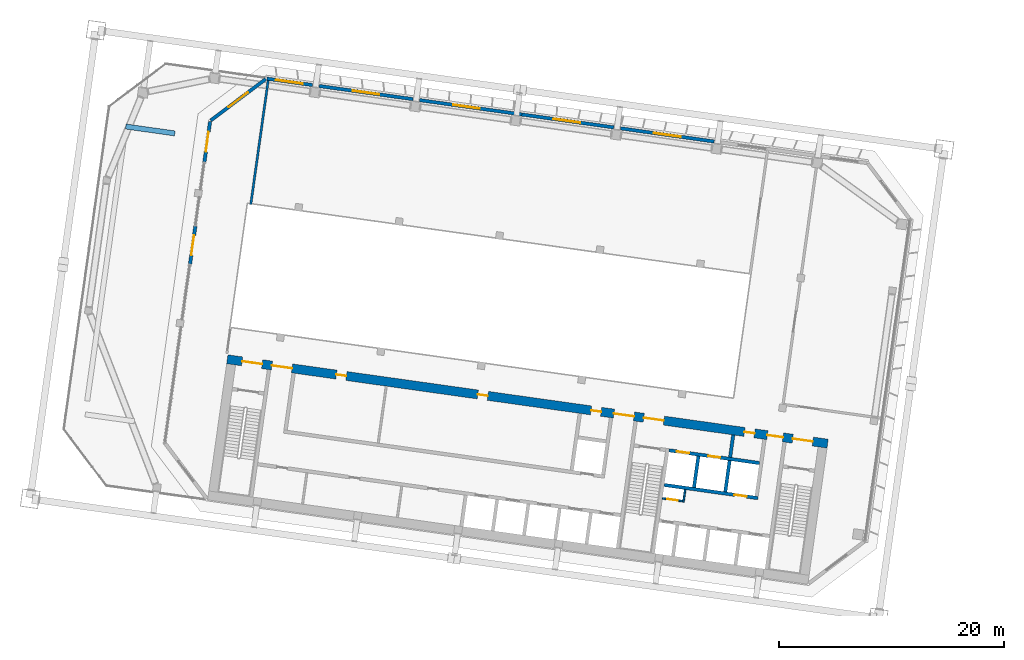
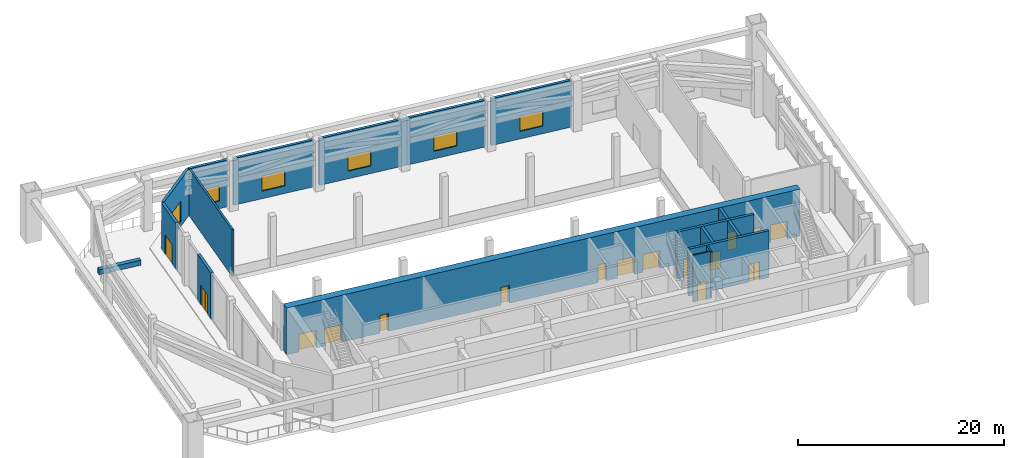
# One storey, part 21 of 41: 18 walls, 16 doors, 6 windows, 22 openings.
"""IFC4 building model written with IfcOpenShell, lengths in metres."""

from ifc_helpers import new_model, si_unit, direction, frame, frame_2d, origin, place, context, subcontext, project, spatial, rectangle, extrude, material, layer, layer_set, type_object, element, fill, save


model = new_model("IFC4")

# Units and contexts
model_context = context("Model", 3, precision=1e-05, world=origin(), true_north=direction((0.0, 1.0)))
body_context = subcontext(model_context, "Body", "Model", "MODEL_VIEW")
ifc_project = project(units=[si_unit("LENGTHUNIT", "METRE"), si_unit("AREAUNIT", "SQUARE_METRE"), si_unit("VOLUMEUNIT", "CUBIC_METRE"), si_unit("PLANEANGLEUNIT", "RADIAN"), si_unit("MASSUNIT", "GRAM", prefix="KILO")], contexts=[model_context])

# Site, building, storey
site_placement = place(None, origin())
site = spatial("IfcSite", under=ifc_project, at=site_placement, CompositionType="ELEMENT")
building_placement = place(site_placement, origin())
building = spatial("IfcBuilding", under=site, at=building_placement, Name="Mirante Cascada Hotel Towers", CompositionType="ELEMENT")
storey_placement = place(building_placement, frame((0.0, 0.0, 92.7)))
storey = spatial("IfcBuildingStorey", under=building, at=storey_placement, Name="L20", CompositionType="ELEMENT", Elevation=92.7)

# Wall
ifc_material_1 = material(Name="Masonry block", Category="masonry")
ifc_layer_1 = layer(ifc_material_1, 0.15)
ifc_layer_set_1 = layer_set([ifc_layer_1], Name="Core room partition 150 block EI 30")
wall_type_1 = type_object("IfcWallType", Name="Core room partition 150 block EI 30", PredefinedType="PARTITIONING", material=ifc_layer_set_1)
wall_1_placement = place(storey_placement, frame((-48.2295, -12.793, 0.0), z_axis=(0.0, 0.0, 1.0), x_axis=(0.1391935, 0.9902652, 0.0)))
element("IfcWall", 1, at=wall_1_placement, inside=storey, type_object=wall_type_1, Name="Core wall partition T1 L20 2", PredefinedType="PARTITIONING", context=body_context, shape_type="SweptSolid", body=[
    extrude(rectangle(XDim=1.1251, YDim=0.15, at=frame_2d((0.5626, 0.0))), origin(), (0.0, 0.0, 1.0), 5.55),
])

# Wall, opening, door
wall_2_placement = place(storey_placement, frame((-48.2933, -12.7083, 0.0), z_axis=(0.0, 0.0, 1.0), x_axis=(-0.990268, 0.1391734, 0.0)))
wall_2 = element("IfcWall", 2, at=wall_2_placement, inside=storey, type_object=wall_type_1, Name="Core wall partition T1 L20 3", PredefinedType="PARTITIONING", context=body_context, shape_type="SweptSolid", body=[
    extrude(rectangle(XDim=1.8251, YDim=0.15, at=frame_2d((0.9126, 0.0))), origin(), (0.0, 0.0, 1.0), 5.55),
])
opening_1_placement = place(wall_2_placement, frame((0.4625, 0.0, 0.0)))
opening_1 = element("IfcOpeningElement", 3, at=opening_1_placement, cuts=wall_2, Name="Opening D1-20-C23", PredefinedType="OPENING", context=body_context, shape_type="SweptSolid", body=[
    extrude(rectangle(XDim=0.9, YDim=2.1, at=frame_2d((0.45, 1.05))), frame((0.0, 0.075, 0.0), z_axis=(0.0, -1.0, 0.0), x_axis=(1.0, 0.0, 0.0)), (0.0, 0.0, 1.0), 0.15),
])
ifc_material_2 = material(Name="Hollow metal fire door leaf")
door_type_1 = type_object("IfcDoorType", Name="Fire door 900x2100 FD60", OperationType="NOTDEFINED", PredefinedType="DOOR", material=ifc_material_2)
door_1_placement = place(opening_1_placement, origin())
door_1 = element("IfcDoor", 4, at=door_1_placement, inside=storey, type_object=door_type_1, Name="Riser door T1 L20 23", OperationType="SINGLE_SWING_LEFT", OverallHeight=2.1, OverallWidth=0.9, PredefinedType="DOOR", context=body_context, shape_type="SweptSolid", body=[
    extrude(rectangle(XDim=0.9, YDim=2.1, at=frame_2d((0.45, 1.05))), frame((0.0, 0.025, 0.0), z_axis=(0.0, -1.0, 0.0), x_axis=(1.0, 0.0, 0.0)), (0.0, 0.0, 1.0), 0.05),
])
fill(opening_1, door_1)

# Walls
ifc_material_3 = material(Name="Masonry block", Category="masonry")
ifc_layer_2 = layer(ifc_material_3, 0.3)
ifc_layer_set_2 = layer_set([ifc_layer_2], Name="Core wall 300 block EI 120")
wall_type_2 = type_object("IfcWallType", Name="Core wall 300 block EI 120", PredefinedType="PARTITIONING", material=ifc_layer_set_2)
wall_3_placement = place(storey_placement, frame((-44.0843, -8.8061, 0.0), z_axis=(0.0, 0.0, 1.0), x_axis=(0.1391951, 0.990265, 0.0)))
element("IfcWall", 5, at=wall_3_placement, inside=storey, type_object=wall_type_2, Name="Core wall partition T1 L20 1", PredefinedType="PARTITIONING", context=body_context, shape_type="SweptSolid", body=[
    extrude(rectangle(XDim=2.0001, YDim=0.3, at=frame_2d((1.0001, 0.0))), origin(), (0.0, 0.0, 1.0), 5.55),
])
ifc_material_4 = material(Name="Precast concrete C40/50", Category="concrete")
ifc_layer_3 = layer(ifc_material_4, 0.45)
ifc_layer_set_3 = layer_set([ifc_layer_3], Name="Planter wall 450 concrete C40/50")
wall_type_3 = type_object("IfcWallType", Name="Planter wall 450 concrete C40/50", PredefinedType="PARAPET", material=ifc_layer_set_3)
wall_4_placement = place(storey_placement, frame((-93.3643, 19.932, 0.0), z_axis=(0.0, 0.0, 1.0), x_axis=(-0.990267, 0.139181, 0.0)))
element("IfcWall", 6, at=wall_4_placement, inside=storey, type_object=wall_type_3, Name="PLANTER T1 L20 bed 2", PredefinedType="PARAPET", context=body_context, shape_type="SweptSolid", body=[
    extrude(rectangle(XDim=4.4, YDim=0.45, at=frame_2d((2.2, 0.0))), origin(), (0.0, 0.0, 1.0), 0.6),
])

# Wall, opening, window
ifc_material_5 = material(Name="Precast concrete C40/50", Category="concrete")
ifc_layer_4 = layer(ifc_material_5, 0.3)
ifc_layer_set_4 = layer_set([ifc_layer_4], Name="Precast concrete C40/50 cladding wall 300")
wall_type_4 = type_object("IfcWallType", Name="Precast concrete C40/50 cladding wall 300", PredefinedType="STANDARD", material=ifc_layer_set_4)
wall_5_placement = place(storey_placement, frame((-45.4985, 19.2134, 0.0), z_axis=(0.0, 0.0, 1.0), x_axis=(-0.9902672, 0.1391793, 0.0)))
wall_5 = element("IfcWall", 7, at=wall_5_placement, inside=storey, type_object=wall_type_4, Name="Cladding pier wall T1 L20 front 3", PredefinedType="STANDARD", context=body_context, shape_type="SweptSolid", body=[
    extrude(rectangle(XDim=8.4, YDim=0.3, at=frame_2d((4.2, 0.0))), origin(), (0.0, 0.0, 1.0), 5.55),
])
opening_2_placement = place(wall_5_placement, frame((3.0, 0.0, 0.9)))
opening_2 = element("IfcOpeningElement", 8, at=opening_2_placement, cuts=wall_5, Name="Opening W1-20-03", PredefinedType="OPENING", context=body_context, shape_type="SweptSolid", body=[
    extrude(rectangle(XDim=2.4, YDim=1.8, at=frame_2d((1.2, 0.9))), frame((0.0, 0.15, 0.0), z_axis=(0.0, -1.0, 0.0), x_axis=(1.0, 0.0, 0.0)), (0.0, 0.0, 1.0), 0.3),
])
ifc_material_6 = material(Name="Aluminium frame with clear double glazing", Category="aluminium")
window_type_1 = type_object("IfcWindowType", Name="Punched window 2400x1800", PartitioningType="DOUBLE_PANEL_VERTICAL", PredefinedType="WINDOW", material=ifc_material_6)
window_1_placement = place(opening_2_placement, origin())
window_1 = element("IfcWindow", 9, at=window_1_placement, inside=storey, type_object=window_type_1, Name="Window W1-20-03", OverallHeight=1.8, OverallWidth=2.4, PartitioningType="SINGLE_PANEL", PredefinedType="WINDOW", context=body_context, shape_type="SweptSolid", body=[
    extrude(rectangle(XDim=2.4, YDim=1.8, at=frame_2d((1.2, 0.9))), frame((0.0, 0.03, 0.0), z_axis=(0.0, -1.0, 0.0), x_axis=(1.0, 0.0, 0.0)), (0.0, 0.0, 1.0), 0.06),
])
fill(opening_2, window_1)

wall_6_placement = place(storey_placement, frame((-54.4109, 20.466, 0.0), z_axis=(0.0, 0.0, 1.0), x_axis=(-0.9902687, 0.1391684, 0.0)))
wall_6 = element("IfcWall", 10, at=wall_6_placement, inside=storey, type_object=wall_type_4, Name="Cladding pier wall T1 L20 front 4", PredefinedType="STANDARD", context=body_context, shape_type="SweptSolid", body=[
    extrude(rectangle(XDim=8.2411, YDim=0.3, at=frame_2d((4.1206, 0.0))), origin(), (0.0, 0.0, 1.0), 5.55),
])
opening_3_placement = place(wall_6_placement, frame((3.0, 0.0, 0.9)))
opening_3 = element("IfcOpeningElement", 11, at=opening_3_placement, cuts=wall_6, Name="Opening W1-20-04", PredefinedType="OPENING", context=body_context, shape_type="SweptSolid", body=[
    extrude(rectangle(XDim=2.4, YDim=1.8, at=frame_2d((1.2, 0.9))), frame((0.0, 0.15, 0.0), z_axis=(0.0, -1.0, 0.0), x_axis=(1.0, 0.0, 0.0)), (0.0, 0.0, 1.0), 0.3),
])
window_2_placement = place(opening_3_placement, origin())
window_2 = element("IfcWindow", 12, at=window_2_placement, inside=storey, type_object=window_type_1, Name="Window W1-20-04", OverallHeight=1.8, OverallWidth=2.4, PartitioningType="SINGLE_PANEL", PredefinedType="WINDOW", context=body_context, shape_type="SweptSolid", body=[
    extrude(rectangle(XDim=2.4, YDim=1.8, at=frame_2d((1.2, 0.9))), frame((0.0, 0.03, 0.0), z_axis=(0.0, -1.0, 0.0), x_axis=(1.0, 0.0, 0.0)), (0.0, 0.0, 1.0), 0.06),
])
fill(opening_3, window_2)

wall_7_placement = place(storey_placement, frame((-62.5718, 21.6129, 0.0), z_axis=(0.0, 0.0, 1.0), x_axis=(-0.9902677, 0.1391755, 0.0)))
wall_7 = element("IfcWall", 13, at=wall_7_placement, inside=storey, type_object=wall_type_4, Name="Cladding pier wall T1 L20 front 5", PredefinedType="STANDARD", context=body_context, shape_type="SweptSolid", body=[
    extrude(rectangle(XDim=9.1589, YDim=0.3, at=frame_2d((4.5794, 0.0))), origin(), (0.0, 0.0, 1.0), 5.55),
])
opening_4_placement = place(wall_7_placement, frame((3.7589, 0.0, 0.9)))
opening_4 = element("IfcOpeningElement", 14, at=opening_4_placement, cuts=wall_7, Name="Opening W1-20-05", PredefinedType="OPENING", context=body_context, shape_type="SweptSolid", body=[
    extrude(rectangle(XDim=2.4, YDim=1.8, at=frame_2d((1.2, 0.9))), frame((0.0, 0.15, 0.0), z_axis=(0.0, -1.0, 0.0), x_axis=(1.0, 0.0, 0.0)), (0.0, 0.0, 1.0), 0.3),
])
window_3_placement = place(opening_4_placement, origin())
window_3 = element("IfcWindow", 15, at=window_3_placement, inside=storey, type_object=window_type_1, Name="Window W1-20-05", OverallHeight=1.8, OverallWidth=2.4, PartitioningType="SINGLE_PANEL", PredefinedType="WINDOW", context=body_context, shape_type="SweptSolid", body=[
    extrude(rectangle(XDim=2.4, YDim=1.8, at=frame_2d((1.2, 0.9))), frame((0.0, 0.03, 0.0), z_axis=(0.0, -1.0, 0.0), x_axis=(1.0, 0.0, 0.0)), (0.0, 0.0, 1.0), 0.06),
])
fill(opening_4, window_3)

wall_8_placement = place(storey_placement, frame((-72.2357, 22.9711, 0.0), z_axis=(0.0, 0.0, 1.0), x_axis=(-0.9902691, 0.139166, 0.0)))
wall_8 = element("IfcWall", 16, at=wall_8_placement, inside=storey, type_object=wall_type_4, Name="Cladding pier wall T1 L20 front 6", PredefinedType="STANDARD", context=body_context, shape_type="SweptSolid", body=[
    extrude(rectangle(XDim=8.4, YDim=0.3, at=frame_2d((4.2, 0.0))), origin(), (0.0, 0.0, 1.0), 5.55),
])
opening_5_placement = place(wall_8_placement, frame((3.0, 0.0, 0.9)))
opening_5 = element("IfcOpeningElement", 17, at=opening_5_placement, cuts=wall_8, Name="Opening W1-20-06", PredefinedType="OPENING", context=body_context, shape_type="SweptSolid", body=[
    extrude(rectangle(XDim=2.4, YDim=1.8, at=frame_2d((1.2, 0.9))), frame((0.0, 0.15, 0.0), z_axis=(0.0, -1.0, 0.0), x_axis=(1.0, 0.0, 0.0)), (0.0, 0.0, 1.0), 0.3),
])
window_4_placement = place(opening_5_placement, origin())
window_4 = element("IfcWindow", 18, at=window_4_placement, inside=storey, type_object=window_type_1, Name="Window W1-20-06", OverallHeight=1.8, OverallWidth=2.4, PartitioningType="SINGLE_PANEL", PredefinedType="WINDOW", context=body_context, shape_type="SweptSolid", body=[
    extrude(rectangle(XDim=2.4, YDim=1.8, at=frame_2d((1.2, 0.9))), frame((0.0, 0.03, 0.0), z_axis=(0.0, -1.0, 0.0), x_axis=(1.0, 0.0, 0.0)), (0.0, 0.0, 1.0), 0.06),
])
fill(opening_5, window_4)

wall_9_placement = place(storey_placement, frame((-81.1481, 24.2237, 0.0), z_axis=(0.0, 0.0, 1.0), x_axis=(-0.9902698, 0.1391609, 0.0)))
wall_9 = element("IfcWall", 19, at=wall_9_placement, inside=storey, type_object=wall_type_4, Name="Cladding pier wall T1 L20 front 7", PredefinedType="STANDARD", context=body_context, shape_type="SweptSolid", body=[
    extrude(rectangle(XDim=4.0759, YDim=0.3, at=frame_2d((2.038, 0.0))), origin(), (0.0, 0.0, 1.0), 5.55),
])
opening_6_placement = place(wall_9_placement, frame((0.8689, 0.0, 0.9)))
opening_6 = element("IfcOpeningElement", 20, at=opening_6_placement, cuts=wall_9, Name="Opening W1-20-07", PredefinedType="OPENING", context=body_context, shape_type="SweptSolid", body=[
    extrude(rectangle(XDim=2.4, YDim=1.8, at=frame_2d((1.2, 0.9))), frame((0.0, 0.15, 0.0), z_axis=(0.0, -1.0, 0.0), x_axis=(1.0, 0.0, 0.0)), (0.0, 0.0, 1.0), 0.3),
])
window_5_placement = place(opening_6_placement, origin())
window_5 = element("IfcWindow", 21, at=window_5_placement, inside=storey, type_object=window_type_1, Name="Window W1-20-07", OverallHeight=1.8, OverallWidth=2.4, PartitioningType="SINGLE_PANEL", PredefinedType="WINDOW", context=body_context, shape_type="SweptSolid", body=[
    extrude(rectangle(XDim=2.4, YDim=1.8, at=frame_2d((1.2, 0.9))), frame((0.0, 0.03, 0.0), z_axis=(0.0, -1.0, 0.0), x_axis=(1.0, 0.0, 0.0)), (0.0, 0.0, 1.0), 0.06),
])
fill(opening_6, window_5)

wall_10_placement = place(storey_placement, frame((-90.1793, 21.0818, 0.0), z_axis=(0.0, 0.0, 1.0), x_axis=(0.7986341, 0.6018168, 0.0)))
wall_10 = element("IfcWall", 22, at=wall_10_placement, inside=storey, type_object=wall_type_4, Name="Corner cladding wall T1 L20 outer front", PredefinedType="STANDARD", context=body_context, shape_type="SweptSolid", body=[
    extrude(rectangle(XDim=6.1153, YDim=0.3, at=frame_2d((3.0577, 0.0))), origin(), (0.0, 0.0, 1.0), 5.55),
])
opening_7_placement = place(wall_10_placement, frame((1.9576, 0.0, 0.6)))
opening_7 = element("IfcOpeningElement", 23, at=opening_7_placement, cuts=wall_10, Name="Opening W1-20-09", PredefinedType="OPENING", context=body_context, shape_type="SweptSolid", body=[
    extrude(rectangle(XDim=2.2, YDim=2.4, at=frame_2d((1.1, 1.2))), frame((0.0, 0.15, 0.0), z_axis=(0.0, -1.0, 0.0), x_axis=(1.0, 0.0, 0.0)), (0.0, 0.0, 1.0), 0.3),
])
ifc_material_7 = material(Name="Aluminium frame with clear double glazing", Category="aluminium")
window_type_2 = type_object("IfcWindowType", Name="Corner suite window 2200x2400", PartitioningType="DOUBLE_PANEL_VERTICAL", PredefinedType="WINDOW", material=ifc_material_7)
window_6_placement = place(opening_7_placement, origin())
window_6 = element("IfcWindow", 24, at=window_6_placement, inside=storey, type_object=window_type_2, Name="Window W1-20-09", OverallHeight=2.4, OverallWidth=2.2, PartitioningType="SINGLE_PANEL", PredefinedType="WINDOW", context=body_context, shape_type="SweptSolid", body=[
    extrude(rectangle(XDim=2.2, YDim=2.4, at=frame_2d((1.1, 1.2))), frame((0.0, 0.03, 0.0), z_axis=(0.0, -1.0, 0.0), x_axis=(1.0, 0.0, 0.0)), (0.0, 0.0, 1.0), 0.06),
])
fill(opening_7, window_6)

# Wall, opening, door
ifc_material_8 = material(Name="Precast concrete C40/50", Category="concrete")
ifc_layer_5 = layer(ifc_material_8, 0.3)
ifc_layer_set_5 = layer_set([ifc_layer_5], Name="Precast concrete C40/50 terrace wall 300")
wall_type_5 = type_object("IfcWallType", Name="Precast concrete C40/50 terrace wall 300", PredefinedType="STANDARD", material=ifc_layer_set_5)
wall_11_placement = place(storey_placement, frame((-92.0157, 8.3315, 0.0), z_axis=(0.0, 0.0, 1.0), x_axis=(0.1391769, 0.9902675, 0.0)))
wall_11 = element("IfcWall", 25, at=wall_11_placement, inside=storey, type_object=wall_type_5, Name="Lounge door pier wall T1 L20 2", PredefinedType="STANDARD", context=body_context, shape_type="SweptSolid", body=[
    extrude(rectangle(XDim=3.4, YDim=0.3, at=frame_2d((1.7, 0.0))), origin(), (0.0, 0.0, 1.0), 5.55),
])
opening_8_placement = place(wall_11_placement, frame((0.8, 0.0, 0.0)))
opening_8 = element("IfcOpeningElement", 26, at=opening_8_placement, cuts=wall_11, Name="Opening D1-20-91", PredefinedType="OPENING", context=body_context, shape_type="SweptSolid", body=[
    extrude(rectangle(XDim=1.8, YDim=2.4, at=frame_2d((0.9, 1.2))), frame((0.0, 0.15, 0.0), z_axis=(0.0, -1.0, 0.0), x_axis=(1.0, 0.0, 0.0)), (0.0, 0.0, 1.0), 0.3),
])
ifc_material_9 = material(Name="Aluminium frame with clear laminated glazing", Category="aluminium")
door_type_2 = type_object("IfcDoorType", Name="Terrace double door 1800x2400", OperationType="DOUBLE_DOOR_SINGLE_SWING", PredefinedType="DOOR", material=ifc_material_9)
door_2_placement = place(opening_8_placement, origin())
door_2 = element("IfcDoor", 27, at=door_2_placement, inside=storey, type_object=door_type_2, Name="Terrace door D1-20-91", OperationType="DOUBLE_DOOR_SINGLE_SWING", OverallHeight=2.4, OverallWidth=1.8, PredefinedType="DOOR", context=body_context, shape_type="SweptSolid", body=[
    extrude(rectangle(XDim=0.895, YDim=2.4, at=frame_2d((0.4475, 1.2))), frame((0.0, 0.025, 0.0), z_axis=(0.0, -1.0, 0.0), x_axis=(1.0, 0.0, 0.0)), (0.0, 0.0, 1.0), 0.05),
    extrude(rectangle(XDim=0.895, YDim=2.4, at=frame_2d((1.3525, 1.2))), frame((0.0, 0.025, 0.0), z_axis=(0.0, -1.0, 0.0), x_axis=(1.0, 0.0, 0.0)), (0.0, 0.0, 1.0), 0.05),
])
fill(opening_8, door_2)

wall_12_placement = place(storey_placement, frame((-90.7439, 17.3804, 0.0), z_axis=(0.0, 0.0, 1.0), x_axis=(0.1391735, 0.990268, 0.0)))
wall_12 = element("IfcWall", 28, at=wall_12_placement, inside=storey, type_object=wall_type_5, Name="Lounge door pier wall T1 L20 4", PredefinedType="STANDARD", context=body_context, shape_type="SweptSolid", body=[
    extrude(rectangle(XDim=3.6379, YDim=0.3, at=frame_2d((1.819, 0.0))), origin(), (0.0, 0.0, 1.0), 5.55),
])
opening_9_placement = place(wall_12_placement, frame((0.919, 0.0, 0.0)))
opening_9 = element("IfcOpeningElement", 29, at=opening_9_placement, cuts=wall_12, Name="Opening D1-20-92", PredefinedType="OPENING", context=body_context, shape_type="SweptSolid", body=[
    extrude(rectangle(XDim=1.8, YDim=2.4, at=frame_2d((0.9, 1.2))), frame((0.0, 0.15, 0.0), z_axis=(0.0, -1.0, 0.0), x_axis=(1.0, 0.0, 0.0)), (0.0, 0.0, 1.0), 0.3),
])
door_3_placement = place(opening_9_placement, origin())
door_3 = element("IfcDoor", 30, at=door_3_placement, inside=storey, type_object=door_type_2, Name="Terrace door D1-20-92", OperationType="DOUBLE_DOOR_SINGLE_SWING", OverallHeight=2.4, OverallWidth=1.8, PredefinedType="DOOR", context=body_context, shape_type="SweptSolid", body=[
    extrude(rectangle(XDim=0.895, YDim=2.4, at=frame_2d((0.4475, 1.2))), frame((0.0, 0.025, 0.0), z_axis=(0.0, -1.0, 0.0), x_axis=(1.0, 0.0, 0.0)), (0.0, 0.0, 1.0), 0.05),
    extrude(rectangle(XDim=0.895, YDim=2.4, at=frame_2d((1.3525, 1.2))), frame((0.0, 0.025, 0.0), z_axis=(0.0, -1.0, 0.0), x_axis=(1.0, 0.0, 0.0)), (0.0, 0.0, 1.0), 0.05),
])
fill(opening_9, door_3)

ifc_material_10 = material(Name="Concrete C50/60", Category="concrete")
ifc_layer_6 = layer(ifc_material_10, 0.3)
ifc_layer_set_6 = layer_set([ifc_layer_6], Name="RC core wall 300 C50/60")
wall_type_6 = type_object("IfcWallType", Name="RC core wall 300 C50/60", PredefinedType="SHEAR", material=ifc_layer_set_6)
wall_13_placement = place(storey_placement, frame((-41.6153, -12.435, 0.0), z_axis=(0.0, 0.0, 1.0), x_axis=(-0.9902691, 0.139166, 0.0)))
wall_13 = element("IfcWall", 31, at=wall_13_placement, inside=storey, type_object=wall_type_6, Name="Core wall T1:L20:13", PredefinedType="SHEAR", context=body_context, shape_type="SweptSolid", body=[
    extrude(rectangle(XDim=8.4, YDim=0.3, at=frame_2d((4.2, 0.0))), origin(), (0.0, 0.0, 1.0), 5.55),
])
opening_10_placement = place(wall_13_placement, frame((1.0, 0.0, 0.0)))
opening_10 = element("IfcOpeningElement", 32, at=opening_10_placement, cuts=wall_13, Name="Opening LD", PredefinedType="OPENING", context=body_context, shape_type="SweptSolid", body=[
    extrude(rectangle(XDim=1.1, YDim=2.1, at=frame_2d((0.55, 1.05))), frame((0.0, 0.15, 0.0), z_axis=(0.0, -1.0, 0.0), x_axis=(1.0, 0.0, 0.0)), (0.0, 0.0, 1.0), 0.3),
])
ifc_material_11 = material(Name="Stainless steel", Category="steel")
door_type_3 = type_object("IfcDoorType", Name="Lift landing door 1100x2100 EI 120", OperationType="DOUBLE_DOOR_SLIDING", PredefinedType="DOOR", material=ifc_material_11)
door_4_placement = place(opening_10_placement, origin())
door_4 = element("IfcDoor", 33, at=door_4_placement, inside=storey, type_object=door_type_3, Name="Lift landing door HR1-4 L20", OperationType="DOUBLE_DOOR_SLIDING", OverallHeight=2.1, OverallWidth=1.1, PredefinedType="DOOR", context=body_context, shape_type="SweptSolid", body=[
    extrude(rectangle(XDim=0.545, YDim=2.1, at=frame_2d((0.2725, 1.05))), frame((0.0, 0.025, 0.0), z_axis=(0.0, -1.0, 0.0), x_axis=(1.0, 0.0, 0.0)), (0.0, 0.0, 1.0), 0.05),
    extrude(rectangle(XDim=0.545, YDim=2.1, at=frame_2d((0.8275, 1.05))), frame((0.0, 0.025, 0.0), z_axis=(0.0, -1.0, 0.0), x_axis=(1.0, 0.0, 0.0)), (0.0, 0.0, 1.0), 0.05),
])
fill(opening_10, door_4)

# Wall, openings, doors
wall_14_placement = place(storey_placement, frame((-41.481, -9.3234, 0.0), z_axis=(0.0, 0.0, 1.0), x_axis=(-0.9902679, 0.1391741, 0.0)))
wall_14 = element("IfcWall", 34, at=wall_14_placement, inside=storey, type_object=wall_type_6, Name="Core wall T1:L20:14", PredefinedType="SHEAR", context=body_context, shape_type="SweptSolid", body=[
    extrude(rectangle(XDim=8.0999, YDim=0.3, at=frame_2d((4.05, 0.0))), origin(), (0.0, 0.0, 1.0), 5.55),
])
opening_11_placement = place(wall_14_placement, frame((3.5, 0.0, 0.0)))
opening_11 = element("IfcOpeningElement", 35, at=opening_11_placement, cuts=wall_14, Name="Opening LD", PredefinedType="OPENING", context=body_context, shape_type="SweptSolid", body=[
    extrude(rectangle(XDim=1.1, YDim=2.1, at=frame_2d((0.55, 1.05))), frame((0.0, 0.15, 0.0), z_axis=(0.0, -1.0, 0.0), x_axis=(1.0, 0.0, 0.0)), (0.0, 0.0, 1.0), 0.3),
])
opening_12_placement = place(wall_14_placement, frame((6.3, 0.0, 0.0)))
opening_12 = element("IfcOpeningElement", 36, at=opening_12_placement, cuts=wall_14, Name="Opening LD", PredefinedType="OPENING", context=body_context, shape_type="SweptSolid", body=[
    extrude(rectangle(XDim=1.1, YDim=2.1, at=frame_2d((0.55, 1.05))), frame((0.0, 0.15, 0.0), z_axis=(0.0, -1.0, 0.0), x_axis=(1.0, 0.0, 0.0)), (0.0, 0.0, 1.0), 0.3),
])
door_5_placement = place(opening_11_placement, origin())
door_5 = element("IfcDoor", 37, at=door_5_placement, inside=storey, type_object=door_type_3, Name="Lift landing door FF1 L20", OperationType="DOUBLE_DOOR_SLIDING", OverallHeight=2.1, OverallWidth=1.1, PredefinedType="DOOR", context=body_context, shape_type="SweptSolid", body=[
    extrude(rectangle(XDim=0.545, YDim=2.1, at=frame_2d((0.2725, 1.05))), frame((0.0, 0.025, 0.0), z_axis=(0.0, -1.0, 0.0), x_axis=(1.0, 0.0, 0.0)), (0.0, 0.0, 1.0), 0.05),
    extrude(rectangle(XDim=0.545, YDim=2.1, at=frame_2d((0.8275, 1.05))), frame((0.0, 0.025, 0.0), z_axis=(0.0, -1.0, 0.0), x_axis=(1.0, 0.0, 0.0)), (0.0, 0.0, 1.0), 0.05),
])
fill(opening_11, door_5)
door_6_placement = place(opening_12_placement, origin())
door_6 = element("IfcDoor", 38, at=door_6_placement, inside=storey, type_object=door_type_3, Name="Lift landing door FF2 L20", OperationType="DOUBLE_DOOR_SLIDING", OverallHeight=2.1, OverallWidth=1.1, PredefinedType="DOOR", context=body_context, shape_type="SweptSolid", body=[
    extrude(rectangle(XDim=0.545, YDim=2.1, at=frame_2d((0.2725, 1.05))), frame((0.0, 0.025, 0.0), z_axis=(0.0, -1.0, 0.0), x_axis=(1.0, 0.0, 0.0)), (0.0, 0.0, 1.0), 0.05),
    extrude(rectangle(XDim=0.545, YDim=2.1, at=frame_2d((0.8275, 1.05))), frame((0.0, 0.025, 0.0), z_axis=(0.0, -1.0, 0.0), x_axis=(1.0, 0.0, 0.0)), (0.0, 0.0, 1.0), 0.05),
])
fill(opening_12, door_6)

# Walls
for number, where, z_axis, x_axis, name in (
    (39, (-44.5157, -11.8759, 0.0), (0.0, 0.0, 1.0), (0.139181, 0.990267, 0.0), "Core wall T1:L20:18"),
    (40, (-47.2885, -11.4862, 0.0), (0.0, 0.0, 1.0), (0.139181, 0.990267, 0.0), "Core wall T1:L20:19"),
):
    element("IfcWall", number, at=place(storey_placement, frame(where, z_axis=z_axis, x_axis=x_axis)), inside=storey, type_object=wall_type_6, Name=name, PredefinedType="SHEAR", context=body_context, shape_type="SweptSolid", body=[
        extrude(rectangle(XDim=2.8, YDim=0.3, at=frame_2d((1.4, 0.0))), origin(), (0.0, 0.0, 1.0), 5.55),
    ])

# Wall, openings, doors
ifc_material_12 = material(Name="Concrete C50/60", Category="concrete")
ifc_layer_7 = layer(ifc_material_12, 0.8)
ifc_layer_set_7 = layer_set([ifc_layer_7], Name="RC core wall 800 C50/60")
wall_type_7 = type_object("IfcWallType", Name="RC core wall 800 C50/60", PredefinedType="SHEAR", material=ifc_layer_set_7)
wall_15_placement = place(storey_placement, frame((-35.432, -7.5985, 0.0), z_axis=(0.0, 0.0, 1.0), x_axis=(-0.9902681, 0.1391729, 0.0)))
wall_15 = element("IfcWall", 41, at=wall_15_placement, inside=storey, type_object=wall_type_7, Name="Core wall T1:L20:2", PredefinedType="SHEAR", context=body_context, shape_type="SweptSolid", body=[
    extrude(rectangle(XDim=53.8, YDim=0.8, at=frame_2d((26.9, 0.0))), origin(), (0.0, 0.0, 1.0), 5.55),
])
opening_13_placement = place(wall_15_placement, frame((1.325, 0.0, 0.0)))
opening_13 = element("IfcOpeningElement", 42, at=opening_13_placement, cuts=wall_15, Name="Opening D1-20-C14", PredefinedType="OPENING", context=body_context, shape_type="SweptSolid", body=[
    extrude(rectangle(XDim=1.8, YDim=2.1, at=frame_2d((0.9, 1.05))), frame((0.0, 0.4, 0.0), z_axis=(0.0, -1.0, 0.0), x_axis=(1.0, 0.0, 0.0)), (0.0, 0.0, 1.0), 0.8),
])
opening_14_placement = place(wall_15_placement, frame((14.675, 0.0, 0.0)))
opening_14 = element("IfcOpeningElement", 43, at=opening_14_placement, cuts=wall_15, Name="Opening D1-20-C16", PredefinedType="OPENING", context=body_context, shape_type="SweptSolid", body=[
    extrude(rectangle(XDim=1.8, YDim=2.1, at=frame_2d((0.9, 1.05))), frame((0.0, 0.4, 0.0), z_axis=(0.0, -1.0, 0.0), x_axis=(1.0, 0.0, 0.0)), (0.0, 0.0, 1.0), 0.8),
])
opening_15_placement = place(wall_15_placement, frame((50.675, 0.0, 0.0)))
opening_15 = element("IfcOpeningElement", 44, at=opening_15_placement, cuts=wall_15, Name="Opening D1-20-C18", PredefinedType="OPENING", context=body_context, shape_type="SweptSolid", body=[
    extrude(rectangle(XDim=1.8, YDim=2.1, at=frame_2d((0.9, 1.05))), frame((0.0, 0.4, 0.0), z_axis=(0.0, -1.0, 0.0), x_axis=(1.0, 0.0, 0.0)), (0.0, 0.0, 1.0), 0.8),
])
opening_16_placement = place(wall_15_placement, frame((4.0, 0.0, 0.0)))
opening_16 = element("IfcOpeningElement", 45, at=opening_16_placement, cuts=wall_15, Name="Opening D1-20-C19", PredefinedType="OPENING", context=body_context, shape_type="SweptSolid", body=[
    extrude(rectangle(XDim=1.4, YDim=2.1, at=frame_2d((0.7, 1.05))), frame((0.0, 0.4, 0.0), z_axis=(0.0, -1.0, 0.0), x_axis=(1.0, 0.0, 0.0)), (0.0, 0.0, 1.0), 0.8),
])
opening_17_placement = place(wall_15_placement, frame((17.35, 0.0, 0.0)))
opening_17 = element("IfcOpeningElement", 46, at=opening_17_placement, cuts=wall_15, Name="Opening D1-20-C20", PredefinedType="OPENING", context=body_context, shape_type="SweptSolid", body=[
    extrude(rectangle(XDim=1.8, YDim=2.1, at=frame_2d((0.9, 1.05))), frame((0.0, 0.4, 0.0), z_axis=(0.0, -1.0, 0.0), x_axis=(1.0, 0.0, 0.0)), (0.0, 0.0, 1.0), 0.8),
])
opening_18_placement = place(wall_15_placement, frame((48.0, 0.0, 0.0)))
opening_18 = element("IfcOpeningElement", 47, at=opening_18_placement, cuts=wall_15, Name="Opening D1-20-C21", PredefinedType="OPENING", context=body_context, shape_type="SweptSolid", body=[
    extrude(rectangle(XDim=1.8, YDim=2.1, at=frame_2d((0.9, 1.05))), frame((0.0, 0.4, 0.0), z_axis=(0.0, -1.0, 0.0), x_axis=(1.0, 0.0, 0.0)), (0.0, 0.0, 1.0), 0.8),
])
opening_19_placement = place(wall_15_placement, frame((6.55, 0.0, 0.0)))
opening_19 = element("IfcOpeningElement", 48, at=opening_19_placement, cuts=wall_15, Name="Opening D1-20-C24", PredefinedType="OPENING", context=body_context, shape_type="SweptSolid", body=[
    extrude(rectangle(XDim=0.9, YDim=2.1, at=frame_2d((0.45, 1.05))), frame((0.0, 0.4, 0.0), z_axis=(0.0, -1.0, 0.0), x_axis=(1.0, 0.0, 0.0)), (0.0, 0.0, 1.0), 0.8),
])
opening_20_placement = place(wall_15_placement, frame((20.3, 0.0, 0.0)))
opening_20 = element("IfcOpeningElement", 49, at=opening_20_placement, cuts=wall_15, Name="Opening D1-20-C28", PredefinedType="OPENING", context=body_context, shape_type="SweptSolid", body=[
    extrude(rectangle(XDim=0.9, YDim=2.1, at=frame_2d((0.45, 1.05))), frame((0.0, 0.4, 0.0), z_axis=(0.0, -1.0, 0.0), x_axis=(1.0, 0.0, 0.0)), (0.0, 0.0, 1.0), 0.8),
])
opening_21_placement = place(wall_15_placement, frame((30.45, 0.0, 0.0)))
opening_21 = element("IfcOpeningElement", 50, at=opening_21_placement, cuts=wall_15, Name="Opening D1-20-C29", PredefinedType="OPENING", context=body_context, shape_type="SweptSolid", body=[
    extrude(rectangle(XDim=0.9, YDim=2.1, at=frame_2d((0.45, 1.05))), frame((0.0, 0.4, 0.0), z_axis=(0.0, -1.0, 0.0), x_axis=(1.0, 0.0, 0.0)), (0.0, 0.0, 1.0), 0.8),
])
opening_22_placement = place(wall_15_placement, frame((43.125, 0.0, 0.0)))
opening_22 = element("IfcOpeningElement", 51, at=opening_22_placement, cuts=wall_15, Name="Opening D1-20-C30", PredefinedType="OPENING", context=body_context, shape_type="SweptSolid", body=[
    extrude(rectangle(XDim=0.9, YDim=2.1, at=frame_2d((0.45, 1.05))), frame((0.0, 0.4, 0.0), z_axis=(0.0, -1.0, 0.0), x_axis=(1.0, 0.0, 0.0)), (0.0, 0.0, 1.0), 0.8),
])
ifc_material_13 = material(Name="Hollow metal fire door leaf")
door_type_4 = type_object("IfcDoorType", Name="Double fire door 1400x2100 FD60", OperationType="DOUBLE_DOOR_SINGLE_SWING", PredefinedType="DOOR", material=ifc_material_13)
door_7_placement = place(opening_16_placement, frame((1.4, 0.0, 0.0), z_axis=(0.0, 0.0, 1.0), x_axis=(-1.0, 0.0, 0.0)))
door_7 = element("IfcDoor", 52, at=door_7_placement, inside=storey, type_object=door_type_4, Name="Exit door to gallery T1 L20 19", OperationType="DOUBLE_DOOR_SINGLE_SWING", OverallHeight=2.1, OverallWidth=1.4, PredefinedType="DOOR", context=body_context, shape_type="SweptSolid", body=[
    extrude(rectangle(XDim=0.695, YDim=2.1, at=frame_2d((0.3475, 1.05))), frame((0.0, 0.025, 0.0), z_axis=(0.0, -1.0, 0.0), x_axis=(1.0, 0.0, 0.0)), (0.0, 0.0, 1.0), 0.05),
    extrude(rectangle(XDim=0.695, YDim=2.1, at=frame_2d((1.0525, 1.05))), frame((0.0, 0.025, 0.0), z_axis=(0.0, -1.0, 0.0), x_axis=(1.0, 0.0, 0.0)), (0.0, 0.0, 1.0), 0.05),
])
fill(opening_16, door_7)
ifc_material_14 = material(Name="Hollow metal fire door leaf")
door_type_5 = type_object("IfcDoorType", Name="Double fire door 1800x2100 FD60", OperationType="DOUBLE_DOOR_SINGLE_SWING", PredefinedType="DOOR", material=ifc_material_14)
door_8_placement = place(opening_13_placement, origin())
door_8 = element("IfcDoor", 53, at=door_8_placement, inside=storey, type_object=door_type_5, Name="Exit door to gallery T1 L20 14", OperationType="DOUBLE_DOOR_SINGLE_SWING", OverallHeight=2.1, OverallWidth=1.8, PredefinedType="DOOR", context=body_context, shape_type="SweptSolid", body=[
    extrude(rectangle(XDim=0.895, YDim=2.1, at=frame_2d((0.4475, 1.05))), frame((0.0, 0.025, 0.0), z_axis=(0.0, -1.0, 0.0), x_axis=(1.0, 0.0, 0.0)), (0.0, 0.0, 1.0), 0.05),
    extrude(rectangle(XDim=0.895, YDim=2.1, at=frame_2d((1.3525, 1.05))), frame((0.0, 0.025, 0.0), z_axis=(0.0, -1.0, 0.0), x_axis=(1.0, 0.0, 0.0)), (0.0, 0.0, 1.0), 0.05),
])
fill(opening_13, door_8)
door_9_placement = place(opening_14_placement, origin())
door_9 = element("IfcDoor", 54, at=door_9_placement, inside=storey, type_object=door_type_5, Name="Exit door to gallery T1 L20 16", OperationType="DOUBLE_DOOR_SINGLE_SWING", OverallHeight=2.1, OverallWidth=1.8, PredefinedType="DOOR", context=body_context, shape_type="SweptSolid", body=[
    extrude(rectangle(XDim=0.895, YDim=2.1, at=frame_2d((0.4475, 1.05))), frame((0.0, 0.025, 0.0), z_axis=(0.0, -1.0, 0.0), x_axis=(1.0, 0.0, 0.0)), (0.0, 0.0, 1.0), 0.05),
    extrude(rectangle(XDim=0.895, YDim=2.1, at=frame_2d((1.3525, 1.05))), frame((0.0, 0.025, 0.0), z_axis=(0.0, -1.0, 0.0), x_axis=(1.0, 0.0, 0.0)), (0.0, 0.0, 1.0), 0.05),
])
fill(opening_14, door_9)
door_10_placement = place(opening_15_placement, origin())
door_10 = element("IfcDoor", 55, at=door_10_placement, inside=storey, type_object=door_type_5, Name="Exit door to gallery T1 L20 18", OperationType="DOUBLE_DOOR_SINGLE_SWING", OverallHeight=2.1, OverallWidth=1.8, PredefinedType="DOOR", context=body_context, shape_type="SweptSolid", body=[
    extrude(rectangle(XDim=0.895, YDim=2.1, at=frame_2d((0.4475, 1.05))), frame((0.0, 0.025, 0.0), z_axis=(0.0, -1.0, 0.0), x_axis=(1.0, 0.0, 0.0)), (0.0, 0.0, 1.0), 0.05),
    extrude(rectangle(XDim=0.895, YDim=2.1, at=frame_2d((1.3525, 1.05))), frame((0.0, 0.025, 0.0), z_axis=(0.0, -1.0, 0.0), x_axis=(1.0, 0.0, 0.0)), (0.0, 0.0, 1.0), 0.05),
])
fill(opening_15, door_10)
door_11_placement = place(opening_17_placement, frame((1.8, 0.0, 0.0), z_axis=(0.0, 0.0, 1.0), x_axis=(-1.0, 0.0, 0.0)))
door_11 = element("IfcDoor", 56, at=door_11_placement, inside=storey, type_object=door_type_5, Name="Exit door to gallery T1 L20 20", OperationType="DOUBLE_DOOR_SINGLE_SWING", OverallHeight=2.1, OverallWidth=1.8, PredefinedType="DOOR", context=body_context, shape_type="SweptSolid", body=[
    extrude(rectangle(XDim=0.895, YDim=2.1, at=frame_2d((0.4475, 1.05))), frame((0.0, 0.025, 0.0), z_axis=(0.0, -1.0, 0.0), x_axis=(1.0, 0.0, 0.0)), (0.0, 0.0, 1.0), 0.05),
    extrude(rectangle(XDim=0.895, YDim=2.1, at=frame_2d((1.3525, 1.05))), frame((0.0, 0.025, 0.0), z_axis=(0.0, -1.0, 0.0), x_axis=(1.0, 0.0, 0.0)), (0.0, 0.0, 1.0), 0.05),
])
fill(opening_17, door_11)
door_12_placement = place(opening_18_placement, frame((1.8, 0.0, 0.0), z_axis=(0.0, 0.0, 1.0), x_axis=(-1.0, 0.0, 0.0)))
door_12 = element("IfcDoor", 57, at=door_12_placement, inside=storey, type_object=door_type_5, Name="Exit door to gallery T1 L20 21", OperationType="DOUBLE_DOOR_SINGLE_SWING", OverallHeight=2.1, OverallWidth=1.8, PredefinedType="DOOR", context=body_context, shape_type="SweptSolid", body=[
    extrude(rectangle(XDim=0.895, YDim=2.1, at=frame_2d((0.4475, 1.05))), frame((0.0, 0.025, 0.0), z_axis=(0.0, -1.0, 0.0), x_axis=(1.0, 0.0, 0.0)), (0.0, 0.0, 1.0), 0.05),
    extrude(rectangle(XDim=0.895, YDim=2.1, at=frame_2d((1.3525, 1.05))), frame((0.0, 0.025, 0.0), z_axis=(0.0, -1.0, 0.0), x_axis=(1.0, 0.0, 0.0)), (0.0, 0.0, 1.0), 0.05),
])
fill(opening_18, door_12)
door_13_placement = place(opening_19_placement, origin())
door_13 = element("IfcDoor", 58, at=door_13_placement, inside=storey, type_object=door_type_1, Name="Room door T1 L20 24", OperationType="SINGLE_SWING_RIGHT", OverallHeight=2.1, OverallWidth=0.9, PredefinedType="DOOR", context=body_context, shape_type="SweptSolid", body=[
    extrude(rectangle(XDim=0.9, YDim=2.1, at=frame_2d((0.45, 1.05))), frame((0.0, 0.025, 0.0), z_axis=(0.0, -1.0, 0.0), x_axis=(1.0, 0.0, 0.0)), (0.0, 0.0, 1.0), 0.05),
])
fill(opening_19, door_13)
door_14_placement = place(opening_20_placement, origin())
door_14 = element("IfcDoor", 59, at=door_14_placement, inside=storey, type_object=door_type_1, Name="Room door T1 L20 28", OperationType="SINGLE_SWING_RIGHT", OverallHeight=2.1, OverallWidth=0.9, PredefinedType="DOOR", context=body_context, shape_type="SweptSolid", body=[
    extrude(rectangle(XDim=0.9, YDim=2.1, at=frame_2d((0.45, 1.05))), frame((0.0, 0.025, 0.0), z_axis=(0.0, -1.0, 0.0), x_axis=(1.0, 0.0, 0.0)), (0.0, 0.0, 1.0), 0.05),
])
fill(opening_20, door_14)
door_15_placement = place(opening_21_placement, origin())
door_15 = element("IfcDoor", 60, at=door_15_placement, inside=storey, type_object=door_type_1, Name="Room door T1 L20 29", OperationType="SINGLE_SWING_LEFT", OverallHeight=2.1, OverallWidth=0.9, PredefinedType="DOOR", context=body_context, shape_type="SweptSolid", body=[
    extrude(rectangle(XDim=0.9, YDim=2.1, at=frame_2d((0.45, 1.05))), frame((0.0, 0.025, 0.0), z_axis=(0.0, -1.0, 0.0), x_axis=(1.0, 0.0, 0.0)), (0.0, 0.0, 1.0), 0.05),
])
fill(opening_21, door_15)
door_16_placement = place(opening_22_placement, origin())
door_16 = element("IfcDoor", 61, at=door_16_placement, inside=storey, type_object=door_type_1, Name="Room door T1 L20 30", OperationType="SINGLE_SWING_LEFT", OverallHeight=2.1, OverallWidth=0.9, PredefinedType="DOOR", context=body_context, shape_type="SweptSolid", body=[
    extrude(rectangle(XDim=0.9, YDim=2.1, at=frame_2d((0.45, 1.05))), frame((0.0, 0.025, 0.0), z_axis=(0.0, -1.0, 0.0), x_axis=(1.0, 0.0, 0.0)), (0.0, 0.0, 1.0), 0.05),
])
fill(opening_22, door_16)

# Wall
ifc_material_15 = material(Name="Masonry block", Category="masonry")
ifc_layer_8 = layer(ifc_material_15, 0.2)
ifc_layer_set_8 = layer_set([ifc_layer_8], Name="Refuge and plant wall 200 block EI 120")
wall_type_8 = type_object("IfcWallType", Name="Refuge and plant wall 200 block EI 120", PredefinedType="PARTITIONING", material=ifc_layer_set_8)
wall_16_placement = place(storey_placement, frame((-86.6254, 13.6329, 0.0), z_axis=(0.0, 0.0, 1.0), x_axis=(0.1391747, 0.9902678, 0.0)))
element("IfcWall", 62, at=wall_16_placement, inside=storey, type_object=wall_type_8, Name="Refuge floor wall T1 L20 S4", PredefinedType="PARTITIONING", context=body_context, shape_type="SweptSolid", body=[
    extrude(rectangle(XDim=11.15, YDim=0.2, at=frame_2d((5.575, 0.0))), origin(), (0.0, 0.0, 1.0), 5.55),
])

save(model, "model.ifc")
